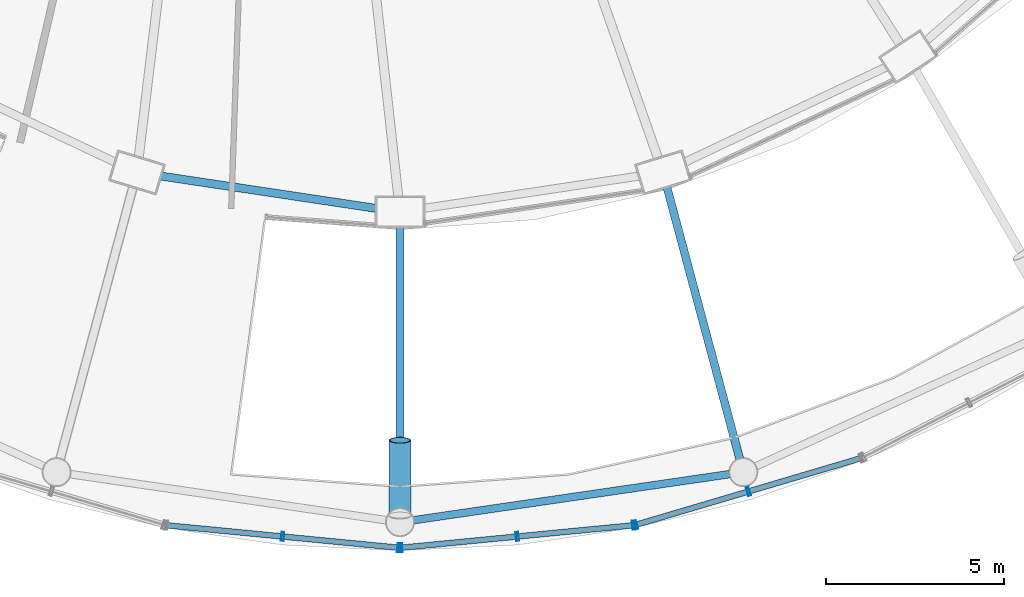
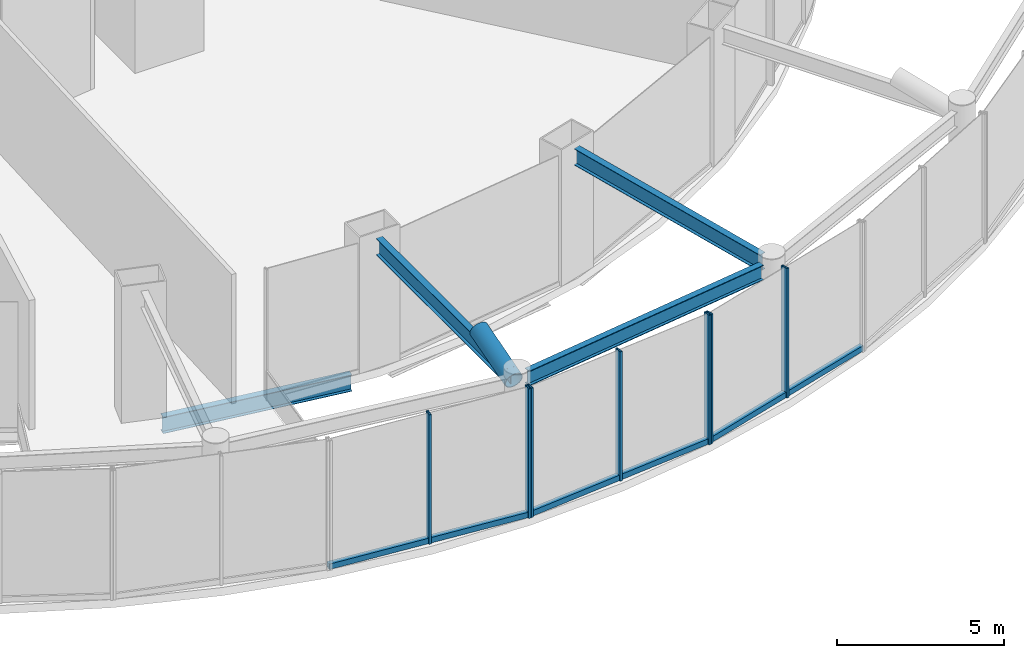
# One storey, part 9 of 52: 11 members, 4 beams, 3 elements without a shape of their own.
"""IFC4 building model written with IfcOpenShell, lengths in metres."""

from ifc_helpers import new_model, si_unit, direction, frame, origin, origin_2d, place, context, subcontext, project, spatial, hollow_rectangle, hollow_circle, i_section, extrude, material, layer, layer_set, material_profile, profile_set, type_object, element, aggregate, save


model = new_model("IFC4")

# Units and contexts
model_context = context("Model", 3, precision=1e-05, world=origin(), true_north=direction((0.0, 1.0)))
body_context = subcontext(model_context, "Body", "Model", "MODEL_VIEW")
ifc_project = project(units=[si_unit("LENGTHUNIT", "METRE"), si_unit("AREAUNIT", "SQUARE_METRE"), si_unit("VOLUMEUNIT", "CUBIC_METRE"), si_unit("PLANEANGLEUNIT", "RADIAN"), si_unit("MASSUNIT", "GRAM", prefix="KILO")], contexts=[model_context])

# Site, building, storey
site_placement = place(None, origin())
site = spatial("IfcSite", under=ifc_project, at=site_placement, CompositionType="ELEMENT")
building_placement = place(site_placement, origin())
building = spatial("IfcBuilding", under=site, at=building_placement, Name="Nagisa Residences", CompositionType="ELEMENT")
storey_placement = place(building_placement, frame((0.0, 0.0, 22.0)))
storey = spatial("IfcBuildingStorey", under=building, at=storey_placement, Name="L04", CompositionType="ELEMENT", Elevation=22.0)

# Beams
ifc_material_1 = material(Name="Steel ASTM A572 Gr 50", Category="steel")
ifc_material_profile_1 = material_profile(ifc_material_1, i_section(OverallWidth=0.214111328125, OverallDepth=0.549072265625, WebThickness=0.0146484375, FlangeThickness=0.023681640625, at=origin_2d()), Name="W530x138")
ifc_profile_set_1 = profile_set([ifc_material_profile_1], Name="Steel ASTM A572 Gr 50")
beam_type_1 = type_object("IfcBeamType", Name="Atrium ring beam W530x138", PredefinedType="BEAM", material=ifc_profile_set_1)
beam_1_placement = place(storey_placement, frame((3.982421875, -41.144287109375, 4.4755859375), z_axis=(0.989534278419, 0.144297996638, 0.0), x_axis=(-0.144297996638, 0.989534278419, 0.0)))
element("IfcBeam", 1, at=beam_1_placement, inside=storey, type_object=beam_type_1, Name="beam:L04:rab19", PredefinedType="BEAM", context=body_context, shape_type="SweptSolid", body=[
    extrude(i_section(OverallWidth=0.214111328125, OverallDepth=0.549072265625, WebThickness=0.0146484375, FlangeThickness=0.023681640625, at=origin_2d()), origin(), (0.0, 0.0, 1.0), 8.95703125),
])
ifc_material_2 = material(Name="Steel ASTM A572 Gr 50", Category="steel")
ifc_material_profile_2 = material_profile(ifc_material_2, i_section(OverallWidth=0.22802734375, OverallDepth=0.60302734375, WebThickness=0.010498046875, FlangeThickness=0.014892578125, at=origin_2d()), Name="W610x101")
ifc_profile_set_2 = profile_set([ifc_material_profile_2], Name="Steel ASTM A572 Gr 50")
beam_type_2 = type_object("IfcBeamType", Name="Atrium roof beam W610x101", PredefinedType="BEAM", material=ifc_profile_set_2)
beam_2_placement = place(storey_placement, frame((3.60009765625, -32.929931640625, 4.448486328125), z_axis=(0.0, -1.0, 0.0), x_axis=(1.0, 0.0, 0.0)))
element("IfcBeam", 2, at=beam_2_placement, inside=storey, type_object=beam_type_2, Name="beam:L04:rer19", PredefinedType="BEAM", context=body_context, shape_type="SweptSolid", body=[
    extrude(i_section(OverallWidth=0.22802734375, OverallDepth=0.60302734375, WebThickness=0.010498046875, FlangeThickness=0.014892578125, at=origin_2d()), origin(), (0.0, 0.0, 1.0), 7.883544921875),
])
beam_3_placement = place(storey_placement, frame((11.087646484375, -31.80810546875, 4.448486328125), z_axis=(0.258809356376, -0.965928422324, 0.0), x_axis=(0.965928422324, 0.258809356376, 0.0)))
element("IfcBeam", 3, at=beam_3_placement, inside=storey, type_object=beam_type_2, Name="beam:L04:rer20", PredefinedType="BEAM", context=body_context, shape_type="SweptSolid", body=[
    extrude(i_section(OverallWidth=0.22802734375, OverallDepth=0.60302734375, WebThickness=0.010498046875, FlangeThickness=0.014892578125, at=origin_2d()), origin(), (0.0, 0.0, 1.0), 7.88330078125),
])

# Curtain wall, members
ifc_material_3 = material(Name="Stainless steel curtain wall system", Category="steel")
ifc_layer = layer(ifc_material_3, 0.159912109375)
ifc_layer_set = layer_set([ifc_layer], Name="CW3 CURTAIN WALL")
curtain_wall_type = type_object("IfcCurtainWallType", Name="CW3 CURTAIN WALL", PredefinedType="NOTDEFINED", material=ifc_layer_set)
curtain_wall_1_placement = place(storey_placement, origin())
curtain_wall_1 = element("IfcCurtainWall", 4, at=curtain_wall_1_placement, inside=storey, type_object=curtain_wall_type, Name="cw:CW3:L04:26", PredefinedType="NOTDEFINED")
ifc_material_4 = material(Name="Stainless steel", Category="steel")
ifc_material_profile_3 = material_profile(ifc_material_4, hollow_rectangle(XDim=0.25, YDim=0.080078125, WallThickness=0.008056640625, at=origin_2d()), Name="CW3 MULLION 250x80")
ifc_profile_set_3 = profile_set([ifc_material_profile_3], Name="Stainless steel")
member_type_1 = type_object("IfcMemberType", Name="CW3 MULLION 250x80", PredefinedType="MULLION", material=ifc_profile_set_3)
member_1_placement = place(storey_placement, frame((0.308349609375, -41.601318359375, 0.0), z_axis=(0.0, 0.0, 1.0), x_axis=(0.096249055035, 0.995357282289, 0.0)))
member_1 = element("IfcMember", 5, at=member_1_placement, type_object=member_type_1, Name="CW3 mullion", PredefinedType="MULLION", context=body_context, shape_type="SweptSolid", body=[
    extrude(hollow_rectangle(XDim=0.25, YDim=0.080078125, WallThickness=0.008056640625, at=origin_2d()), origin(), (0.0, 0.0, 1.0), 4.739990234375),
])
member_2_placement = place(storey_placement, frame((3.56787109375, -41.91650390625, 0.0), z_axis=(0.0, 0.0, 1.0), x_axis=(0.096249055035, 0.995357282289, 0.0)))
member_2 = element("IfcMember", 6, at=member_2_placement, type_object=member_type_1, Name="CW3 mullion", PredefinedType="MULLION", context=body_context, shape_type="SweptSolid", body=[
    extrude(hollow_rectangle(XDim=0.25, YDim=0.080078125, WallThickness=0.008056640625, at=origin_2d()), origin(), (0.0, 0.0, 1.0), 4.739990234375),
])

curtain_wall_2_placement = place(storey_placement, origin())
curtain_wall_2 = element("IfcCurtainWall", 7, at=curtain_wall_2_placement, inside=storey, type_object=curtain_wall_type, Name="cw:CW3:L04:27", PredefinedType="NOTDEFINED")
member_3_placement = place(storey_placement, frame((3.632080078125, -41.91650390625, 0.0), z_axis=(0.0, 0.0, 1.0), x_axis=(-0.096249055035, 0.995357282289, 0.0)))
member_3 = element("IfcMember", 8, at=member_3_placement, type_object=member_type_1, Name="CW3 mullion", PredefinedType="MULLION", context=body_context, shape_type="SweptSolid", body=[
    extrude(hollow_rectangle(XDim=0.25, YDim=0.080078125, WallThickness=0.008056640625, at=origin_2d()), origin(), (0.0, 0.0, 1.0), 4.739990234375),
])
member_4_placement = place(storey_placement, frame((6.8916015625, -41.601318359375, 0.0), z_axis=(0.0, 0.0, 1.0), x_axis=(-0.096249055035, 0.995357282289, 0.0)))
member_4 = element("IfcMember", 9, at=member_4_placement, type_object=member_type_1, Name="CW3 mullion", PredefinedType="MULLION", context=body_context, shape_type="SweptSolid", body=[
    extrude(hollow_rectangle(XDim=0.25, YDim=0.080078125, WallThickness=0.008056640625, at=origin_2d()), origin(), (0.0, 0.0, 1.0), 4.739990234375),
])
member_5_placement = place(storey_placement, frame((10.151123046875, -41.2861328125, 0.0), z_axis=(0.0, 0.0, 1.0), x_axis=(-0.096249055035, 0.995357282289, 0.0)))
member_5 = element("IfcMember", 10, at=member_5_placement, type_object=member_type_1, Name="CW3 mullion", PredefinedType="MULLION", context=body_context, shape_type="SweptSolid", body=[
    extrude(hollow_rectangle(XDim=0.25, YDim=0.080078125, WallThickness=0.008056640625, at=origin_2d()), origin(), (0.0, 0.0, 1.0), 4.739990234375),
])

curtain_wall_3_placement = place(storey_placement, origin())
curtain_wall_3 = element("IfcCurtainWall", 11, at=curtain_wall_3_placement, inside=storey, type_object=curtain_wall_type, Name="cw:CW3:L04:28", PredefinedType="NOTDEFINED")
member_6_placement = place(storey_placement, frame((10.21435546875, -41.27392578125, 0.0), z_axis=(0.0, 0.0, 1.0), x_axis=(-0.283963226669, 0.958835171393, 0.0)))
member_6 = element("IfcMember", 12, at=member_6_placement, type_object=member_type_1, Name="CW3 mullion", PredefinedType="MULLION", context=body_context, shape_type="SweptSolid", body=[
    extrude(hollow_rectangle(XDim=0.25, YDim=0.080078125, WallThickness=0.008056640625, at=origin_2d()), origin(), (0.0, 0.0, 1.0), 4.739990234375),
])
member_7_placement = place(storey_placement, frame((13.375, -40.337890625, 0.0), z_axis=(0.0, 0.0, 1.0), x_axis=(-0.283963226669, 0.958835171393, 0.0)))
member_7 = element("IfcMember", 13, at=member_7_placement, type_object=member_type_1, Name="CW3 mullion", PredefinedType="MULLION", context=body_context, shape_type="SweptSolid", body=[
    extrude(hollow_rectangle(XDim=0.25, YDim=0.080078125, WallThickness=0.008056640625, at=origin_2d()), origin(), (0.0, 0.0, 1.0), 4.739990234375),
])

# Member
ifc_material_5 = material(Name="Stainless steel", Category="steel")
ifc_material_profile_4 = material_profile(ifc_material_5, hollow_rectangle(XDim=0.159912109375, YDim=0.199951171875, WallThickness=0.008056640625, at=origin_2d()), Name="CW3 TRANSOM 160x200")
ifc_profile_set_4 = profile_set([ifc_material_profile_4], Name="Stainless steel")
member_type_2 = type_object("IfcMemberType", Name="CW3 TRANSOM 160x200", PredefinedType="USERDEFINED", material=ifc_profile_set_4)
member_8_placement = place(storey_placement, frame((-2.990966796875, -41.2822265625, 0.10009765625), z_axis=(0.995355706687, -0.096265347687, 0.0), x_axis=(0.096265347687, 0.995355706687, 0.0)))
member_8 = element("IfcMember", 14, at=member_8_placement, type_object=member_type_2, Name="CW3 transom", ObjectType="TRANSOM", PredefinedType="USERDEFINED", context=body_context, shape_type="SweptSolid", body=[
    extrude(hollow_rectangle(XDim=0.159912109375, YDim=0.199951171875, WallThickness=0.008056640625, at=origin_2d()), origin(), (0.0, 0.0, 1.0), 6.62939453125),
])

aggregate(curtain_wall_1, [member_1, member_2, member_8])

member_9_placement = place(storey_placement, frame((3.59228515625, -41.92041015625, 0.10009765625), z_axis=(0.995355706687, 0.096265347687, 0.0), x_axis=(-0.096265347687, 0.995355706687, 0.0)))
member_9 = element("IfcMember", 15, at=member_9_placement, type_object=member_type_2, Name="CW3 transom", ObjectType="TRANSOM", PredefinedType="USERDEFINED", context=body_context, shape_type="SweptSolid", body=[
    extrude(hollow_rectangle(XDim=0.159912109375, YDim=0.199951171875, WallThickness=0.008056640625, at=origin_2d()), origin(), (0.0, 0.0, 1.0), 6.62939453125),
])

aggregate(curtain_wall_2, [member_3, member_4, member_5, member_9])

member_10_placement = place(storey_placement, frame((10.176025390625, -41.28515625, 0.10009765625), z_axis=(0.958835384932, 0.283962505627, 0.0), x_axis=(-0.283962505627, 0.958835384932, 0.0)))
member_10 = element("IfcMember", 16, at=member_10_placement, type_object=member_type_2, Name="CW3 transom", ObjectType="TRANSOM", PredefinedType="USERDEFINED", context=body_context, shape_type="SweptSolid", body=[
    extrude(hollow_rectangle(XDim=0.159912109375, YDim=0.199951171875, WallThickness=0.008056640625, at=origin_2d()), origin(), (0.0, 0.0, 1.0), 6.672607421875),
])

aggregate(curtain_wall_3, [member_6, member_7, member_10])

ifc_material_6 = material(Name="Steel ASTM A572 Gr 65", Category="steel")
ifc_material_profile_5 = material_profile(ifc_material_6, hollow_circle(Radius=0.304931640625, WallThickness=0.02490234375, at=origin_2d()), Name="CHS 610x25")
ifc_profile_set_5 = profile_set([ifc_material_profile_5], Name="Steel ASTM A572 Gr 65")
member_type_3 = type_object("IfcMemberType", Name="Cage strut CHS 610x25", PredefinedType="STRUT", material=ifc_profile_set_5)
member_11_placement = place(storey_placement, frame((3.60009765625, -38.89990234375, 5.0), z_axis=(0.0, -0.961515511102, -0.274750654067), x_axis=(1.0, 0.0, 0.0)))
element("IfcMember", 17, at=member_11_placement, inside=storey, type_object=member_type_3, Name="mem:L04:cg1tie10", PredefinedType="STRUT", context=body_context, shape_type="SweptSolid", body=[
    extrude(hollow_circle(Radius=0.304931640625, WallThickness=0.02490234375, at=origin_2d()), origin(), (0.0, 0.0, 1.0), 2.18408203125),
])

# Beam
ifc_material_7 = material(Name="Steel ASTM A572 Gr 50", Category="steel")
ifc_material_profile_6 = material_profile(ifc_material_7, i_section(OverallWidth=0.22802734375, OverallDepth=0.60302734375, WebThickness=0.010498046875, FlangeThickness=0.014892578125, at=origin_2d()), Name="W610x101")
ifc_profile_set_6 = profile_set([ifc_material_profile_6], Name="Steel ASTM A572 Gr 50")
beam_type_3 = type_object("IfcBeamType", Name="Perimeter ring beam W610x101", PredefinedType="BEAM", material=ifc_profile_set_6)
beam_4_placement = place(storey_placement, frame((-3.096435546875, -31.49462890625, -0.6015625), z_axis=(0.988914559467, -0.14848566959, 0.0), x_axis=(0.14848566959, 0.988914559467, 0.0)))
element("IfcBeam", 18, at=beam_4_placement, inside=storey, type_object=beam_type_3, Name="beam:L04:pb18", PredefinedType="BEAM", context=body_context, shape_type="SweptSolid", body=[
    extrude(i_section(OverallWidth=0.22802734375, OverallDepth=0.60302734375, WebThickness=0.010498046875, FlangeThickness=0.014892578125, at=origin_2d()), origin(), (0.0, 0.0, 1.0), 6.08349609375),
])

save(model, "model.ifc")
